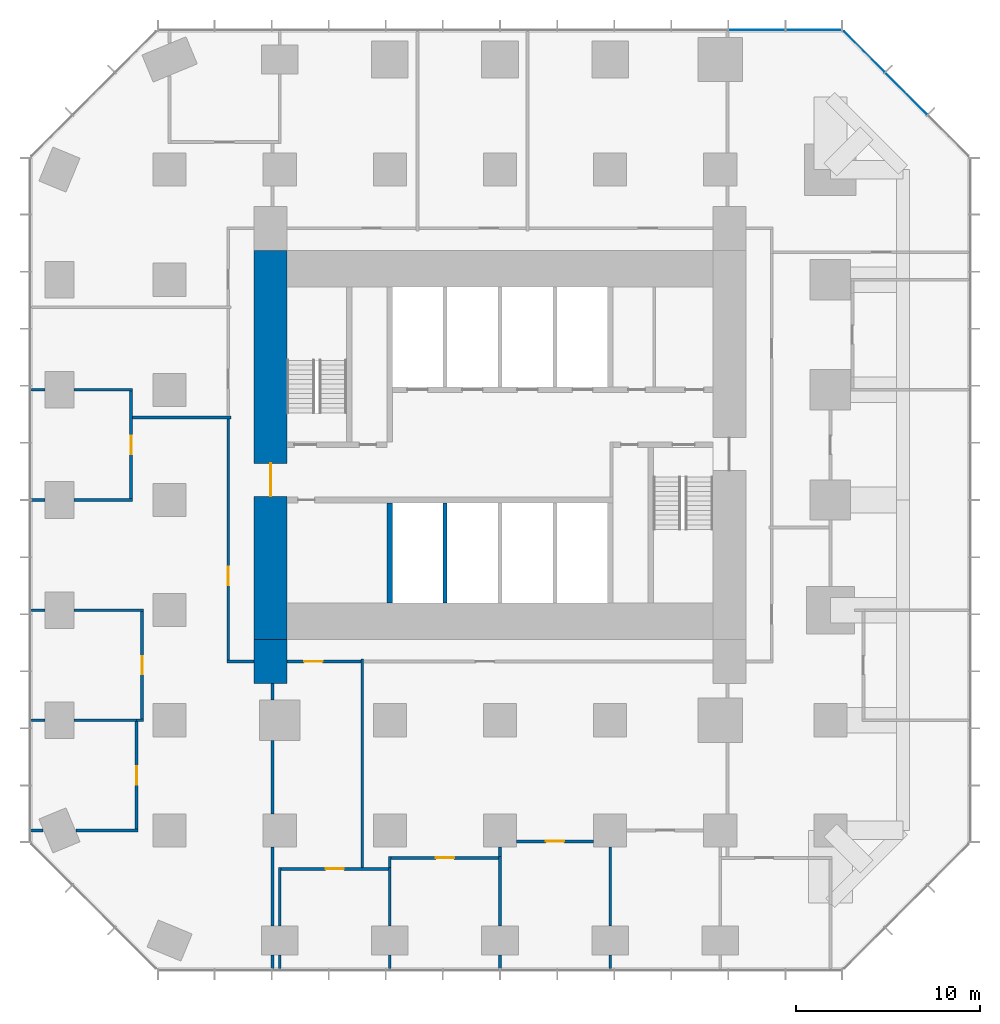
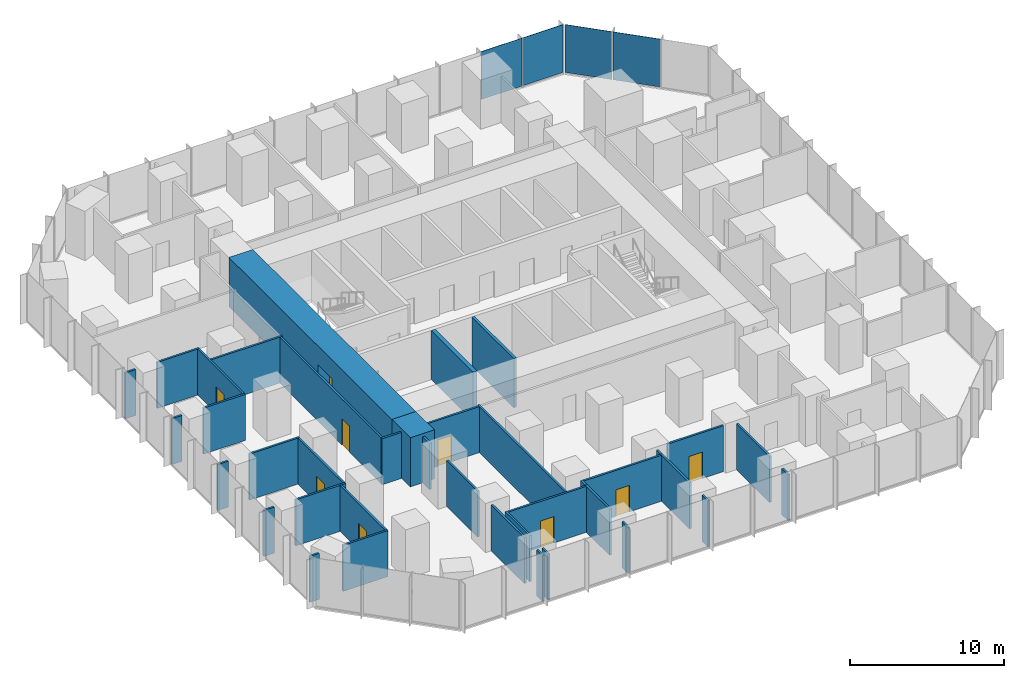
# One storey, part 8 of 12: 40 walls, 9 doors, 4 plates, 9 openings, 2 elements without a shape of their own.
"""IFC4 building model written with IfcOpenShell, lengths in metres."""

from ifc_helpers import new_model, si_unit, direction, frame, frame_2d, origin, origin_2d, place, context, subcontext, project, spatial, rectangle, extrude, material, layer, layer_set, type_object, element, fill, aggregate, save


model = new_model("IFC4")

# Units and contexts
model_context = context("Model", 3, precision=1e-05, world=origin(), true_north=direction((0.0, 1.0)))
body_context = subcontext(model_context, "Body", "Model", "MODEL_VIEW")
ifc_project = project(units=[si_unit("LENGTHUNIT", "METRE"), si_unit("AREAUNIT", "SQUARE_METRE"), si_unit("VOLUMEUNIT", "CUBIC_METRE"), si_unit("PLANEANGLEUNIT", "RADIAN"), si_unit("MASSUNIT", "GRAM", prefix="KILO")], contexts=[model_context])

# Site, building, storey
site_placement = place(None, origin())
site = spatial("IfcSite", under=ifc_project, at=site_placement, CompositionType="ELEMENT")
building_placement = place(site_placement, origin())
building = spatial("IfcBuilding", under=site, at=building_placement, Name="Highveld Stack Headquarters", CompositionType="ELEMENT")
storey_placement = place(building_placement, frame((0.0, 0.0, 49.39990234375)))
storey = spatial("IfcBuildingStorey", under=building, at=storey_placement, Name="L11", CompositionType="ELEMENT", Elevation=49.39990234375)

# Curtain wall, plates
ifc_material_1 = material(Name="Aluminium bronze anodised", Category="aluminium")
ifc_layer_1 = layer(ifc_material_1, 0.199951171875)
ifc_layer_set_1 = layer_set([ifc_layer_1], Name="Aluminium bronze anodised")
curtain_wall_type_1 = type_object("IfcCurtainWallType", Name="CW1 TOWER UNITISED CURTAIN WALL", PredefinedType="NOTDEFINED", material=ifc_layer_set_1)
curtain_wall_1_placement = place(storey_placement, origin())
curtain_wall_1 = element("IfcCurtainWall", 1, at=curtain_wall_1_placement, inside=storey, type_object=curtain_wall_type_1, Name="Curtain wall CW1 L11 N", PredefinedType="NOTDEFINED")
ifc_material_2 = material(Name="Glass bronze tinted double glazed unit", Category="glass")
ifc_layer_2 = layer(ifc_material_2, 0.028076171875)
ifc_layer_set_2 = layer_set([ifc_layer_2], Name="Glass bronze tinted double glazed unit")
plate_type_1 = type_object("IfcPlateType", Name="CW1 PANEL BRONZE TINTED DOUBLE GLAZED UNIT", PredefinedType="CURTAIN_PANEL", material=ifc_layer_set_2)
plate_1_placement = place(storey_placement, frame((23.09130859375, 25.60009765625, 0.10009765625), z_axis=(0.0, 0.0, 1.0), x_axis=(-1.0, 0.0, 0.0)))
plate_1 = element("IfcPlate", 2, at=plate_1_placement, type_object=plate_type_1, Name="CW1 panel L11 1.1", PredefinedType="CURTAIN_PANEL", context=body_context, shape_type="SweptSolid", body=[
    extrude(rectangle(XDim=3.012939453125, YDim=0.028076171875, at=origin_2d()), origin(), (0.0, 0.0, 1.0), 3.800048828125),
])
plate_2_placement = place(storey_placement, frame((19.9970703125, 25.60009765625, 0.10009765625), z_axis=(0.0, 0.0, 1.0), x_axis=(-1.0, 0.0, 0.0)))
plate_2 = element("IfcPlate", 3, at=plate_2_placement, type_object=plate_type_1, Name="CW1 panel L11 2.1", PredefinedType="CURTAIN_PANEL", context=body_context, shape_type="SweptSolid", body=[
    extrude(rectangle(XDim=3.04541015625, YDim=0.028076171875, at=origin_2d()), origin(), (0.0, 0.0, 1.0), 3.800048828125),
])
aggregate(curtain_wall_1, [plate_1, plate_2])

ifc_material_3 = material(Name="Aluminium bronze anodised", Category="aluminium")
ifc_layer_3 = layer(ifc_material_3, 0.199951171875)
ifc_layer_set_3 = layer_set([ifc_layer_3], Name="Aluminium bronze anodised")
curtain_wall_type_2 = type_object("IfcCurtainWallType", Name="CW2 TOWER CHAMFER UNITISED CURTAIN WALL", PredefinedType="NOTDEFINED", material=ifc_layer_set_3)
curtain_wall_2_placement = place(storey_placement, origin())
curtain_wall_2 = element("IfcCurtainWall", 4, at=curtain_wall_2_placement, inside=storey, type_object=curtain_wall_type_2, Name="Curtain wall CW2 L11 NE", PredefinedType="NOTDEFINED")
ifc_material_4 = material(Name="Glass bronze tinted double glazed unit", Category="glass")
ifc_layer_4 = layer(ifc_material_4, 0.028076171875)
ifc_layer_set_4 = layer_set([ifc_layer_4], Name="Glass bronze tinted double glazed unit")
plate_type_2 = type_object("IfcPlateType", Name="CW2 PANEL BRONZE TINTED DOUBLE GLAZED UNIT", PredefinedType="CURTAIN_PANEL", material=ifc_layer_set_4)
plate_3_placement = place(storey_placement, frame((28.13134765625, 22.13134765625, 0.10009765625), z_axis=(0.0, 0.0, 1.0), x_axis=(-0.707106781187, 0.707106781187, 0.0)))
plate_3 = element("IfcPlate", 5, at=plate_3_placement, type_object=plate_type_2, Name="CW2 panel L11 2.1", PredefinedType="CURTAIN_PANEL", context=body_context, shape_type="SweptSolid", body=[
    extrude(rectangle(XDim=3.205322265625, YDim=0.028076171875, at=origin_2d()), origin(), (0.0, 0.0, 1.0), 3.800048828125),
])
plate_4_placement = place(storey_placement, frame((25.8427734375, 24.419921875, 0.10009765625), z_axis=(0.0, 0.0, 1.0), x_axis=(-0.707106781187, 0.707106781187, 0.0)))
plate_4 = element("IfcPlate", 6, at=plate_4_placement, type_object=plate_type_2, Name="CW2 panel L11 3.1", PredefinedType="CURTAIN_PANEL", context=body_context, shape_type="SweptSolid", body=[
    extrude(rectangle(XDim=3.1376953125, YDim=0.028076171875, at=origin_2d()), origin(), (0.0, 0.0, 1.0), 3.800048828125),
])
aggregate(curtain_wall_2, [plate_3, plate_4])

# Wall, opening, door
ifc_material_5 = material(Name="Concrete C60/75", Category="concrete")
ifc_layer_5 = layer(ifc_material_5, 1.800048828125)
ifc_layer_set_5 = layer_set([ifc_layer_5], Name="Concrete C60/75")
wall_type_1 = type_object("IfcWallType", Name="CORE WALL 1800 C60/75", PredefinedType="SHEAR", material=ifc_layer_set_5)
wall_1_placement = place(storey_placement, frame((-6.5, -7.60009765625, 0.0), z_axis=(0.0, 0.0, 1.0), x_axis=(0.0, 1.0, 0.0)))
wall_1 = element("IfcWall", 7, at=wall_1_placement, inside=storey, type_object=wall_type_1, Name="Core wall W L11", PredefinedType="SHEAR", context=body_context, shape_type="SweptSolid", body=[
    extrude(rectangle(XDim=21.2001953125, YDim=1.800048828125, at=frame_2d((10.60009765625, 0.0))), origin(), (0.0, 0.0, 1.0), 3.900146484375),
])
opening_1_placement = place(wall_1_placement, frame((7.800048828125, 0.0, 0.0)))
opening_1 = element("IfcOpeningElement", 8, at=opening_1_placement, cuts=wall_1, Name="Opening L11-01", PredefinedType="OPENING", context=body_context, shape_type="SweptSolid", body=[
    extrude(rectangle(XDim=1.800048828125, YDim=2.39990234375, at=frame_2d((0.89990234375, 1.199951171875))), frame((0.0, 0.909912109375, 0.0), z_axis=(0.0, -1.0, 0.0), x_axis=(1.0, 0.0, 0.0)), (0.0, 0.0, 1.0), 1.820068359375),
])
ifc_material_6 = material(Name="Steel fire door", Category="steel")
door_type_1 = type_object("IfcDoorType", Name="LOBBY FIRE DOOR D4 1800x2400", OperationType="DOUBLE_DOOR_SINGLE_SWING", PredefinedType="DOOR", material=ifc_material_6)
door_1_placement = place(opening_1_placement, origin())
door_1 = element("IfcDoor", 9, at=door_1_placement, inside=storey, type_object=door_type_1, Name="Core west door L11", OperationType="DOUBLE_DOOR_SINGLE_SWING", OverallHeight=2.39990234375, OverallWidth=1.800048828125, PredefinedType="DOOR", context=body_context, shape_type="SweptSolid", body=[
    extrude(rectangle(XDim=1.800048828125, YDim=2.39990234375, at=frame_2d((0.89990234375, 1.199951171875))), frame((0.0, 0.02490234375, 0.0), z_axis=(0.0, -1.0, 0.0), x_axis=(1.0, 0.0, 0.0)), (0.0, 0.0, 1.0), 0.050048828125),
])
fill(opening_1, door_1)

# Walls
ifc_material_7 = material(Name="Concrete C60/75", Category="concrete")
ifc_layer_6 = layer(ifc_material_7, 0.300048828125)
ifc_layer_set_6 = layer_set([ifc_layer_6], Name="Concrete C60/75")
wall_type_2 = type_object("IfcWallType", Name="CORE WALL 300 C60/75", PredefinedType="SHEAR", material=ifc_layer_set_6)
wall_2_placement = place(storey_placement, frame((0.0, -5.60009765625, 0.0), z_axis=(0.0, 0.0, 1.0), x_axis=(0.0, 1.0, 0.0)))
element("IfcWall", 10, at=wall_2_placement, inside=storey, type_object=wall_type_2, Name="Core wall I-X0S L11", PredefinedType="SHEAR", context=body_context, shape_type="SweptSolid", body=[
    extrude(rectangle(XDim=5.4501953125, YDim=0.300048828125, at=frame_2d((2.72509765625, 0.0))), origin(), (0.0, 0.0, 1.0), 3.900146484375),
])
ifc_material_8 = material(Name="Concrete C60/75", Category="concrete")
ifc_layer_7 = layer(ifc_material_8, 1.800048828125)
ifc_layer_set_7 = layer_set([ifc_layer_7], Name="Concrete C60/75")
wall_type_3 = type_object("IfcWallType", Name="CORE WING WALL 1800 C60/75", PredefinedType="SHEAR", material=ifc_layer_set_7)
wall_3_placement = place(storey_placement, frame((-6.5, -10.0, 0.0), z_axis=(0.0, 0.0, 1.0), x_axis=(0.0, 1.0, 0.0)))
element("IfcWall", 11, at=wall_3_placement, inside=storey, type_object=wall_type_3, Name="Core wing wall WS L11", PredefinedType="SHEAR", context=body_context, shape_type="SweptSolid", body=[
    extrude(rectangle(XDim=2.39990234375, YDim=1.800048828125, at=frame_2d((1.199951171875, 0.0))), origin(), (0.0, 0.0, 1.0), 3.900146484375),
])

# Wall, opening, door
ifc_material_9 = material(Name="Laminated glass in aluminium frame", Category="aluminium")
ifc_layer_8 = layer(ifc_material_9, 0.14990234375)
ifc_layer_set_8 = layer_set([ifc_layer_8], Name="Laminated glass in aluminium frame")
wall_type_4 = type_object("IfcWallType", Name="GLAZED PARTITION 150", PredefinedType="PARTITIONING", material=ifc_layer_set_8)
wall_4_placement = place(storey_placement, frame((6.89990234375, -18.60009765625, 0.0), z_axis=(0.0, 0.0, 1.0), x_axis=(1.0, 0.0, 0.0)))
wall_4 = element("IfcWall", 12, at=wall_4_placement, inside=storey, type_object=wall_type_4, Name="Glazed partition Video conference room L11", PredefinedType="PARTITIONING", context=body_context, shape_type="SweptSolid", body=[
    extrude(rectangle(XDim=4.2001953125, YDim=0.14990234375, at=frame_2d((2.10009765625, 0.0))), origin(), (0.0, 0.0, 1.0), 3.650146484375),
])
opening_2_placement = place(wall_4_placement, frame((1.60009765625, 0.0, 0.0)))
opening_2 = element("IfcOpeningElement", 13, at=opening_2_placement, cuts=wall_4, Name="Opening L11-12", PredefinedType="OPENING", context=body_context, shape_type="SweptSolid", body=[
    extrude(rectangle(XDim=1.0, YDim=2.10009765625, at=frame_2d((0.5, 1.050048828125))), frame((0.0, 0.0849609375, 0.0), z_axis=(0.0, -1.0, 0.0), x_axis=(1.0, 0.0, 0.0)), (0.0, 0.0, 1.0), 0.169921875),
])
ifc_material_10 = material(Name="Timber door, oiled ash", Category="wood")
door_type_2 = type_object("IfcDoorType", Name="ROOM DOOR D6 1000x2100", OperationType="SINGLE_SWING_LEFT", PredefinedType="DOOR", material=ifc_material_10)
door_2_placement = place(opening_2_placement, origin())
door_2 = element("IfcDoor", 14, at=door_2_placement, inside=storey, type_object=door_type_2, Name="Video conference room door 1 L11", OperationType="SINGLE_SWING_LEFT", OverallHeight=2.10009765625, OverallWidth=1.0, PredefinedType="DOOR", context=body_context, shape_type="SweptSolid", body=[
    extrude(rectangle(XDim=1.0, YDim=2.10009765625, at=frame_2d((0.5, 1.050048828125))), frame((0.0, 0.02490234375, 0.0), z_axis=(0.0, -1.0, 0.0), x_axis=(1.0, 0.0, 0.0)), (0.0, 0.0, 1.0), 0.050048828125),
])
fill(opening_2, door_2)

# Wall
ifc_material_11 = material(Name="Concrete blockwork, fair-faced", Category="masonry")
ifc_layer_9 = layer(ifc_material_11, 0.199951171875)
ifc_layer_set_9 = layer_set([ifc_layer_9], Name="Concrete blockwork, fair-faced")
wall_type_5 = type_object("IfcWallType", Name="LIFT SHAFT ENCLOSURE WALL 200 BLOCKWORK", PredefinedType="SOLIDWALL", material=ifc_layer_set_9)
wall_5_placement = place(storey_placement, frame((3.0, -5.60009765625, 0.0), z_axis=(0.0, 0.0, 1.0), x_axis=(0.0, 1.0, 0.0)))
element("IfcWall", 15, at=wall_5_placement, inside=storey, type_object=wall_type_5, Name="Lift shaft wall L11", PredefinedType="SOLIDWALL", context=body_context, shape_type="SweptSolid", body=[
    extrude(rectangle(XDim=5.4501953125, YDim=0.199951171875, at=frame_2d((2.72509765625, 0.0))), origin(), (0.0, 0.0, 1.0), 3.900146484375),
])

# Wall, opening, door
ifc_material_12 = material(Name="Gypsum plasterboard on steel studs", Category="steel")
ifc_layer_10 = layer(ifc_material_12, 0.14990234375)
ifc_layer_set_10 = layer_set([ifc_layer_10], Name="Gypsum plasterboard on steel studs")
wall_type_6 = type_object("IfcWallType", Name="PARTITION 150 PLASTERBOARD", PredefinedType="PARTITIONING", material=ifc_layer_set_10)
wall_6_placement = place(storey_placement, frame((-5.925048828125, -20.10009765625, 0.0), z_axis=(0.0, 0.0, 1.0), x_axis=(1.0, 0.0, 0.0)))
wall_6 = element("IfcWall", 16, at=wall_6_placement, inside=storey, type_object=wall_type_6, Name="Partition Focus room L11", PredefinedType="PARTITIONING", context=body_context, shape_type="SweptSolid", body=[
    extrude(rectangle(XDim=5.85009765625, YDim=0.14990234375, at=frame_2d((2.925048828125, 0.0))), origin(), (0.0, 0.0, 1.0), 3.650146484375),
])
opening_3_placement = place(wall_6_placement, frame((2.425048828125, 0.0, 0.0)))
opening_3 = element("IfcOpeningElement", 17, at=opening_3_placement, cuts=wall_6, Name="Opening L11-10", PredefinedType="OPENING", context=body_context, shape_type="SweptSolid", body=[
    extrude(rectangle(XDim=1.0, YDim=2.10009765625, at=frame_2d((0.5, 1.050048828125))), frame((0.0, 0.0849609375, 0.0), z_axis=(0.0, -1.0, 0.0), x_axis=(1.0, 0.0, 0.0)), (0.0, 0.0, 1.0), 0.169921875),
])
door_3_placement = place(opening_3_placement, origin())
door_3 = element("IfcDoor", 18, at=door_3_placement, inside=storey, type_object=door_type_2, Name="Focus room door 1 L11", OperationType="SINGLE_SWING_RIGHT", OverallHeight=2.10009765625, OverallWidth=1.0, PredefinedType="DOOR", context=body_context, shape_type="SweptSolid", body=[
    extrude(rectangle(XDim=1.0, YDim=2.10009765625, at=frame_2d((0.5, 1.050048828125))), frame((0.0, 0.02490234375, 0.0), z_axis=(0.0, -1.0, 0.0), x_axis=(1.0, 0.0, 0.0)), (0.0, 0.0, 1.0), 0.050048828125),
])
fill(opening_3, door_3)

wall_7_placement = place(storey_placement, frame((0.074951171875, -19.5, 0.0), z_axis=(0.0, 0.0, 1.0), x_axis=(1.0, 0.0, 0.0)))
wall_7 = element("IfcWall", 19, at=wall_7_placement, inside=storey, type_object=wall_type_6, Name="Partition Quiet room L11", PredefinedType="PARTITIONING", context=body_context, shape_type="SweptSolid", body=[
    extrude(rectangle(XDim=5.85009765625, YDim=0.14990234375, at=frame_2d((2.925048828125, 0.0))), origin(), (0.0, 0.0, 1.0), 3.650146484375),
])
opening_4_placement = place(wall_7_placement, frame((2.425048828125, 0.0, 0.0)))
opening_4 = element("IfcOpeningElement", 20, at=opening_4_placement, cuts=wall_7, Name="Opening L11-11", PredefinedType="OPENING", context=body_context, shape_type="SweptSolid", body=[
    extrude(rectangle(XDim=1.0, YDim=2.10009765625, at=frame_2d((0.5, 1.050048828125))), frame((0.0, 0.0849609375, 0.0), z_axis=(0.0, -1.0, 0.0), x_axis=(1.0, 0.0, 0.0)), (0.0, 0.0, 1.0), 0.169921875),
])
door_4_placement = place(opening_4_placement, origin())
door_4 = element("IfcDoor", 21, at=door_4_placement, inside=storey, type_object=door_type_2, Name="Quiet room door 1 L11", OperationType="SINGLE_SWING_RIGHT", OverallHeight=2.10009765625, OverallWidth=1.0, PredefinedType="DOOR", context=body_context, shape_type="SweptSolid", body=[
    extrude(rectangle(XDim=1.0, YDim=2.10009765625, at=frame_2d((0.5, 1.050048828125))), frame((0.0, 0.02490234375, 0.0), z_axis=(0.0, -1.0, 0.0), x_axis=(1.0, 0.0, 0.0)), (0.0, 0.0, 1.0), 0.050048828125),
])
fill(opening_4, door_4)

# Walls
wall_8_placement = place(storey_placement, frame((-19.60009765625, -18.0, 0.0), z_axis=(0.0, 0.0, 1.0), x_axis=(1.0, 0.0, 0.0)))
element("IfcWall", 22, at=wall_8_placement, inside=storey, type_object=wall_type_6, Name="Partition Print room L11", PredefinedType="PARTITIONING", context=body_context, shape_type="SweptSolid", body=[
    extrude(rectangle(XDim=0.703125, YDim=0.14990234375, at=frame_2d((0.3515625, 0.0))), origin(), (0.0, 0.0, 1.0), 3.650146484375),
])
wall_9_placement = place(storey_placement, frame((-17.10302734375, -18.0, 0.0), z_axis=(0.0, 0.0, 1.0), x_axis=(1.0, 0.0, 0.0)))
element("IfcWall", 23, at=wall_9_placement, inside=storey, type_object=wall_type_6, Name="Partition Print room L11", PredefinedType="PARTITIONING", context=body_context, shape_type="SweptSolid", body=[
    extrude(rectangle(XDim=3.3779296875, YDim=0.14990234375, at=frame_2d((1.68896484375, 0.0))), origin(), (0.0, 0.0, 1.0), 3.650146484375),
])
wall_10_placement = place(storey_placement, frame((-19.60009765625, -12.0, 0.0), z_axis=(0.0, 0.0, 1.0), x_axis=(1.0, 0.0, 0.0)))
element("IfcWall", 24, at=wall_10_placement, inside=storey, type_object=wall_type_6, Name="Partition Print room / Quiet room L11", PredefinedType="PARTITIONING", context=body_context, shape_type="SweptSolid", body=[
    extrude(rectangle(XDim=0.800048828125, YDim=0.14990234375, at=frame_2d((0.39990234375, 0.0))), origin(), (0.0, 0.0, 1.0), 3.650146484375),
])
wall_11_placement = place(storey_placement, frame((-17.199951171875, -12.0, 0.0), z_axis=(0.0, 0.0, 1.0), x_axis=(1.0, 0.0, 0.0)))
element("IfcWall", 25, at=wall_11_placement, inside=storey, type_object=wall_type_6, Name="Partition Print room / Quiet room L11", PredefinedType="PARTITIONING", context=body_context, shape_type="SweptSolid", body=[
    extrude(rectangle(XDim=3.474853515625, YDim=0.14990234375, at=frame_2d((1.7373046875, 0.0))), origin(), (0.0, 0.0, 1.0), 3.650146484375),
])
wall_12_placement = place(storey_placement, frame((-13.800048828125, -12.0, 0.0), z_axis=(0.0, 0.0, 1.0), x_axis=(1.0, 0.0, 0.0)))
element("IfcWall", 26, at=wall_12_placement, inside=storey, type_object=wall_type_6, Name="Partition Quiet room L11", PredefinedType="PARTITIONING", context=body_context, shape_type="SweptSolid", body=[
    extrude(rectangle(XDim=0.375, YDim=0.14990234375, at=frame_2d((0.1875, 0.0))), origin(), (0.0, 0.0, 1.0), 3.650146484375),
])
wall_13_placement = place(storey_placement, frame((-19.60009765625, -6.0, 0.0), z_axis=(0.0, 0.0, 1.0), x_axis=(1.0, 0.0, 0.0)))
element("IfcWall", 27, at=wall_13_placement, inside=storey, type_object=wall_type_6, Name="Partition Quiet room L11", PredefinedType="PARTITIONING", context=body_context, shape_type="SweptSolid", body=[
    extrude(rectangle(XDim=0.800048828125, YDim=0.14990234375, at=frame_2d((0.39990234375, 0.0))), origin(), (0.0, 0.0, 1.0), 3.650146484375),
])
wall_14_placement = place(storey_placement, frame((-17.199951171875, -6.0, 0.0), z_axis=(0.0, 0.0, 1.0), x_axis=(1.0, 0.0, 0.0)))
element("IfcWall", 28, at=wall_14_placement, inside=storey, type_object=wall_type_6, Name="Partition Quiet room L11", PredefinedType="PARTITIONING", context=body_context, shape_type="SweptSolid", body=[
    extrude(rectangle(XDim=3.77490234375, YDim=0.14990234375, at=frame_2d((1.887451171875, 0.0))), origin(), (0.0, 0.0, 1.0), 3.650146484375),
])
wall_15_placement = place(storey_placement, frame((-19.550048828125, 0.0, 0.0), z_axis=(0.0, 0.0, 1.0), x_axis=(1.0, 0.0, 0.0)))
element("IfcWall", 29, at=wall_15_placement, inside=storey, type_object=wall_type_6, Name="Partition Focus room L11", PredefinedType="PARTITIONING", context=body_context, shape_type="SweptSolid", body=[
    extrude(rectangle(XDim=0.75, YDim=0.14990234375, at=frame_2d((0.375, 0.0))), origin(), (0.0, 0.0, 1.0), 3.650146484375),
])
wall_16_placement = place(storey_placement, frame((-17.199951171875, 0.0, 0.0), z_axis=(0.0, 0.0, 1.0), x_axis=(1.0, 0.0, 0.0)))
element("IfcWall", 30, at=wall_16_placement, inside=storey, type_object=wall_type_6, Name="Partition Focus room L11", PredefinedType="PARTITIONING", context=body_context, shape_type="SweptSolid", body=[
    extrude(rectangle(XDim=3.175048828125, YDim=0.14990234375, at=frame_2d((1.58740234375, 0.0))), origin(), (0.0, 0.0, 1.0), 3.650146484375),
])
wall_17_placement = place(storey_placement, frame((-19.60009765625, 6.0, 0.0), z_axis=(0.0, 0.0, 1.0), x_axis=(1.0, 0.0, 0.0)))
element("IfcWall", 31, at=wall_17_placement, inside=storey, type_object=wall_type_6, Name="Partition Focus room L11", PredefinedType="PARTITIONING", context=body_context, shape_type="SweptSolid", body=[
    extrude(rectangle(XDim=0.800048828125, YDim=0.14990234375, at=frame_2d((0.39990234375, 0.0))), origin(), (0.0, 0.0, 1.0), 3.650146484375),
])
wall_18_placement = place(storey_placement, frame((-17.199951171875, 6.0, 0.0), z_axis=(0.0, 0.0, 1.0), x_axis=(1.0, 0.0, 0.0)))
element("IfcWall", 32, at=wall_18_placement, inside=storey, type_object=wall_type_6, Name="Partition Focus room L11", PredefinedType="PARTITIONING", context=body_context, shape_type="SweptSolid", body=[
    extrude(rectangle(XDim=3.175048828125, YDim=0.14990234375, at=frame_2d((1.58740234375, 0.0))), origin(), (0.0, 0.0, 1.0), 3.650146484375),
])

# Wall, opening, door
wall_19_placement = place(storey_placement, frame((-14.10009765625, 0.074951171875, 0.0), z_axis=(0.0, 0.0, 1.0), x_axis=(0.0, 1.0, 0.0)))
wall_19 = element("IfcWall", 33, at=wall_19_placement, inside=storey, type_object=wall_type_6, Name="Partition Focus room L11", PredefinedType="PARTITIONING", context=body_context, shape_type="SweptSolid", body=[
    extrude(rectangle(XDim=5.85009765625, YDim=0.14990234375, at=frame_2d((2.925048828125, 0.0))), origin(), (0.0, 0.0, 1.0), 3.650146484375),
])
opening_5_placement = place(wall_19_placement, frame((2.425048828125, 0.0, 0.0)))
opening_5 = element("IfcOpeningElement", 34, at=opening_5_placement, cuts=wall_19, Name="Opening L11-17", PredefinedType="OPENING", context=body_context, shape_type="SweptSolid", body=[
    extrude(rectangle(XDim=1.0, YDim=2.10009765625, at=frame_2d((0.5, 1.050048828125))), frame((0.0, 0.0849609375, 0.0), z_axis=(0.0, -1.0, 0.0), x_axis=(1.0, 0.0, 0.0)), (0.0, 0.0, 1.0), 0.169921875),
])
door_5_placement = place(opening_5_placement, origin())
door_5 = element("IfcDoor", 35, at=door_5_placement, inside=storey, type_object=door_type_2, Name="Focus room door 1 L11", OperationType="SINGLE_SWING_RIGHT", OverallHeight=2.10009765625, OverallWidth=1.0, PredefinedType="DOOR", context=body_context, shape_type="SweptSolid", body=[
    extrude(rectangle(XDim=1.0, YDim=2.10009765625, at=frame_2d((0.5, 1.050048828125))), frame((0.0, 0.02490234375, 0.0), z_axis=(0.0, -1.0, 0.0), x_axis=(1.0, 0.0, 0.0)), (0.0, 0.0, 1.0), 0.050048828125),
])
fill(opening_5, door_5)

wall_20_placement = place(storey_placement, frame((-13.800048828125, -17.925048828125, 0.0), z_axis=(0.0, 0.0, 1.0), x_axis=(0.0, 1.0, 0.0)))
wall_20 = element("IfcWall", 36, at=wall_20_placement, inside=storey, type_object=wall_type_6, Name="Partition Print room L11", PredefinedType="PARTITIONING", context=body_context, shape_type="SweptSolid", body=[
    extrude(rectangle(XDim=5.85009765625, YDim=0.14990234375, at=frame_2d((2.925048828125, 0.0))), origin(), (0.0, 0.0, 1.0), 3.650146484375),
])
opening_6_placement = place(wall_20_placement, frame((2.425048828125, 0.0, 0.0)))
opening_6 = element("IfcOpeningElement", 37, at=opening_6_placement, cuts=wall_20, Name="Opening L11-15", PredefinedType="OPENING", context=body_context, shape_type="SweptSolid", body=[
    extrude(rectangle(XDim=1.0, YDim=2.10009765625, at=frame_2d((0.5, 1.050048828125))), frame((0.0, 0.0849609375, 0.0), z_axis=(0.0, -1.0, 0.0), x_axis=(1.0, 0.0, 0.0)), (0.0, 0.0, 1.0), 0.169921875),
])
door_6_placement = place(opening_6_placement, origin())
door_6 = element("IfcDoor", 38, at=door_6_placement, inside=storey, type_object=door_type_2, Name="Print room door 1 L11", OperationType="SINGLE_SWING_RIGHT", OverallHeight=2.10009765625, OverallWidth=1.0, PredefinedType="DOOR", context=body_context, shape_type="SweptSolid", body=[
    extrude(rectangle(XDim=1.0, YDim=2.10009765625, at=frame_2d((0.5, 1.050048828125))), frame((0.0, 0.02490234375, 0.0), z_axis=(0.0, -1.0, 0.0), x_axis=(1.0, 0.0, 0.0)), (0.0, 0.0, 1.0), 0.050048828125),
])
fill(opening_6, door_6)

wall_21_placement = place(storey_placement, frame((-13.5, -11.925048828125, 0.0), z_axis=(0.0, 0.0, 1.0), x_axis=(0.0, 1.0, 0.0)))
wall_21 = element("IfcWall", 39, at=wall_21_placement, inside=storey, type_object=wall_type_6, Name="Partition Quiet room L11", PredefinedType="PARTITIONING", context=body_context, shape_type="SweptSolid", body=[
    extrude(rectangle(XDim=5.85009765625, YDim=0.14990234375, at=frame_2d((2.925048828125, 0.0))), origin(), (0.0, 0.0, 1.0), 3.650146484375),
])
opening_7_placement = place(wall_21_placement, frame((2.425048828125, 0.0, 0.0)))
opening_7 = element("IfcOpeningElement", 40, at=opening_7_placement, cuts=wall_21, Name="Opening L11-16", PredefinedType="OPENING", context=body_context, shape_type="SweptSolid", body=[
    extrude(rectangle(XDim=1.0, YDim=2.10009765625, at=frame_2d((0.5, 1.050048828125))), frame((0.0, 0.0849609375, 0.0), z_axis=(0.0, -1.0, 0.0), x_axis=(1.0, 0.0, 0.0)), (0.0, 0.0, 1.0), 0.169921875),
])
door_7_placement = place(opening_7_placement, origin())
door_7 = element("IfcDoor", 41, at=door_7_placement, inside=storey, type_object=door_type_2, Name="Quiet room door 1 L11", OperationType="SINGLE_SWING_LEFT", OverallHeight=2.10009765625, OverallWidth=1.0, PredefinedType="DOOR", context=body_context, shape_type="SweptSolid", body=[
    extrude(rectangle(XDim=1.0, YDim=2.10009765625, at=frame_2d((0.5, 1.050048828125))), frame((0.0, 0.02490234375, 0.0), z_axis=(0.0, -1.0, 0.0), x_axis=(1.0, 0.0, 0.0)), (0.0, 0.0, 1.0), 0.050048828125),
])
fill(opening_7, door_7)

# Walls
wall_22_placement = place(storey_placement, frame((-6.0, -25.60009765625, 0.0), z_axis=(0.0, 0.0, 1.0), x_axis=(0.0, 1.0, 0.0)))
element("IfcWall", 42, at=wall_22_placement, inside=storey, type_object=wall_type_6, Name="Partition Focus room L11", PredefinedType="PARTITIONING", context=body_context, shape_type="SweptSolid", body=[
    extrude(rectangle(XDim=0.800048828125, YDim=0.14990234375, at=frame_2d((0.39990234375, 0.0))), origin(), (0.0, 0.0, 1.0), 3.650146484375),
])
wall_23_placement = place(storey_placement, frame((-6.0, -23.199951171875, 0.0), z_axis=(0.0, 0.0, 1.0), x_axis=(0.0, 1.0, 0.0)))
element("IfcWall", 43, at=wall_23_placement, inside=storey, type_object=wall_type_6, Name="Partition Focus room L11", PredefinedType="PARTITIONING", context=body_context, shape_type="SweptSolid", body=[
    extrude(rectangle(XDim=3.175048828125, YDim=0.14990234375, at=frame_2d((1.58740234375, 0.0))), origin(), (0.0, 0.0, 1.0), 3.650146484375),
])
wall_24_placement = place(storey_placement, frame((0.0, -25.60009765625, 0.0), z_axis=(0.0, 0.0, 1.0), x_axis=(0.0, 1.0, 0.0)))
element("IfcWall", 44, at=wall_24_placement, inside=storey, type_object=wall_type_6, Name="Partition Focus room / Quiet room L11", PredefinedType="PARTITIONING", context=body_context, shape_type="SweptSolid", body=[
    extrude(rectangle(XDim=0.800048828125, YDim=0.14990234375, at=frame_2d((0.39990234375, 0.0))), origin(), (0.0, 0.0, 1.0), 3.650146484375),
])
wall_25_placement = place(storey_placement, frame((0.0, -23.199951171875, 0.0), z_axis=(0.0, 0.0, 1.0), x_axis=(0.0, 1.0, 0.0)))
element("IfcWall", 45, at=wall_25_placement, inside=storey, type_object=wall_type_6, Name="Partition Focus room / Quiet room L11", PredefinedType="PARTITIONING", context=body_context, shape_type="SweptSolid", body=[
    extrude(rectangle(XDim=3.175048828125, YDim=0.14990234375, at=frame_2d((1.58740234375, 0.0))), origin(), (0.0, 0.0, 1.0), 3.650146484375),
])
wall_26_placement = place(storey_placement, frame((0.0, -20.02490234375, 0.0), z_axis=(0.0, 0.0, 1.0), x_axis=(0.0, 1.0, 0.0)))
element("IfcWall", 46, at=wall_26_placement, inside=storey, type_object=wall_type_6, Name="Partition Quiet room L11", PredefinedType="PARTITIONING", context=body_context, shape_type="SweptSolid", body=[
    extrude(rectangle(XDim=0.599853515625, YDim=0.14990234375, at=frame_2d((0.2998046875, 0.0))), origin(), (0.0, 0.0, 1.0), 3.650146484375),
])
wall_27_placement = place(storey_placement, frame((6.0, -25.550048828125, 0.0), z_axis=(0.0, 0.0, 1.0), x_axis=(0.0, 1.0, 0.0)))
element("IfcWall", 47, at=wall_27_placement, inside=storey, type_object=wall_type_6, Name="Partition Quiet room / Video conference room L11", PredefinedType="PARTITIONING", context=body_context, shape_type="SweptSolid", body=[
    extrude(rectangle(XDim=0.75, YDim=0.14990234375, at=frame_2d((0.375, 0.0))), origin(), (0.0, 0.0, 1.0), 3.650146484375),
])
wall_28_placement = place(storey_placement, frame((6.0, -23.199951171875, 0.0), z_axis=(0.0, 0.0, 1.0), x_axis=(0.0, 1.0, 0.0)))
element("IfcWall", 48, at=wall_28_placement, inside=storey, type_object=wall_type_6, Name="Partition Quiet room / Video conference room L11", PredefinedType="PARTITIONING", context=body_context, shape_type="SweptSolid", body=[
    extrude(rectangle(XDim=3.77490234375, YDim=0.14990234375, at=frame_2d((1.887451171875, 0.0))), origin(), (0.0, 0.0, 1.0), 3.650146484375),
])
wall_29_placement = place(storey_placement, frame((6.0, -19.425048828125, 0.0), z_axis=(0.0, 0.0, 1.0), x_axis=(0.0, 1.0, 0.0)))
element("IfcWall", 49, at=wall_29_placement, inside=storey, type_object=wall_type_6, Name="Partition Video conference room L11", PredefinedType="PARTITIONING", context=body_context, shape_type="SweptSolid", body=[
    extrude(rectangle(XDim=0.525146484375, YDim=0.14990234375, at=frame_2d((0.2626953125, 0.0))), origin(), (0.0, 0.0, 1.0), 3.650146484375),
])
wall_30_placement = place(storey_placement, frame((12.0, -25.60009765625, 0.0), z_axis=(0.0, 0.0, 1.0), x_axis=(0.0, 1.0, 0.0)))
element("IfcWall", 50, at=wall_30_placement, inside=storey, type_object=wall_type_6, Name="Partition Meeting room / Video conference room L11", PredefinedType="PARTITIONING", context=body_context, shape_type="SweptSolid", body=[
    extrude(rectangle(XDim=0.800048828125, YDim=0.14990234375, at=frame_2d((0.39990234375, 0.0))), origin(), (0.0, 0.0, 1.0), 3.650146484375),
])
wall_31_placement = place(storey_placement, frame((12.0, -23.199951171875, 0.0), z_axis=(0.0, 0.0, 1.0), x_axis=(0.0, 1.0, 0.0)))
element("IfcWall", 51, at=wall_31_placement, inside=storey, type_object=wall_type_6, Name="Partition Meeting room / Video conference room L11", PredefinedType="PARTITIONING", context=body_context, shape_type="SweptSolid", body=[
    extrude(rectangle(XDim=4.300048828125, YDim=0.14990234375, at=frame_2d((2.14990234375, 0.0))), origin(), (0.0, 0.0, 1.0), 3.650146484375),
])
wall_32_placement = place(storey_placement, frame((-14.02490234375, 4.5, 0.0), z_axis=(0.0, 0.0, 1.0), x_axis=(1.0, 0.0, 0.0)))
element("IfcWall", 52, at=wall_32_placement, inside=storey, type_object=wall_type_6, Name="Partition office neighbourhood L11", PredefinedType="PARTITIONING", context=body_context, shape_type="SweptSolid", body=[
    extrude(rectangle(XDim=5.375, YDim=0.14990234375, at=frame_2d((2.6875, 0.0))), origin(), (0.0, 0.0, 1.0), 3.650146484375),
])

# Wall, opening, door
wall_33_placement = place(storey_placement, frame((-8.800048828125, -8.72509765625, 0.0), z_axis=(0.0, 0.0, 1.0), x_axis=(0.0, 1.0, 0.0)))
wall_33 = element("IfcWall", 53, at=wall_33_placement, inside=storey, type_object=wall_type_6, Name="Partition office neighbourhood L11", PredefinedType="PARTITIONING", context=body_context, shape_type="SweptSolid", body=[
    extrude(rectangle(XDim=13.150146484375, YDim=0.14990234375, at=frame_2d((6.5751953125, 0.0))), origin(), (0.0, 0.0, 1.0), 3.650146484375),
])
opening_8_placement = place(wall_33_placement, frame((4.080078125, 0.0, 0.0)))
opening_8 = element("IfcOpeningElement", 54, at=opening_8_placement, cuts=wall_33, Name="Opening L11-25", PredefinedType="OPENING", context=body_context, shape_type="SweptSolid", body=[
    extrude(rectangle(XDim=1.0, YDim=2.10009765625, at=frame_2d((0.5, 1.050048828125))), frame((0.0, 0.0849609375, 0.0), z_axis=(0.0, -1.0, 0.0), x_axis=(1.0, 0.0, 0.0)), (0.0, 0.0, 1.0), 0.169921875),
])
door_8_placement = place(opening_8_placement, origin())
door_8 = element("IfcDoor", 55, at=door_8_placement, inside=storey, type_object=door_type_2, Name="Office neighbourhood door L11", OperationType="SINGLE_SWING_LEFT", OverallHeight=2.10009765625, OverallWidth=1.0, PredefinedType="DOOR", context=body_context, shape_type="SweptSolid", body=[
    extrude(rectangle(XDim=1.0, YDim=2.10009765625, at=frame_2d((0.5, 1.050048828125))), frame((0.0, 0.02490234375, 0.0), z_axis=(0.0, -1.0, 0.0), x_axis=(1.0, 0.0, 0.0)), (0.0, 0.0, 1.0), 0.050048828125),
])
fill(opening_8, door_8)

# Walls
wall_34_placement = place(storey_placement, frame((-8.875, -8.800048828125, 0.0), z_axis=(0.0, 0.0, 1.0), x_axis=(1.0, 0.0, 0.0)))
element("IfcWall", 56, at=wall_34_placement, inside=storey, type_object=wall_type_6, Name="Partition office neighbourhood L11", PredefinedType="PARTITIONING", context=body_context, shape_type="SweptSolid", body=[
    extrude(rectangle(XDim=1.47509765625, YDim=0.14990234375, at=frame_2d((0.737548828125, 0.0))), origin(), (0.0, 0.0, 1.0), 3.650146484375),
])
wall_35_placement = place(storey_placement, frame((-6.39990234375, -25.550048828125, 0.0), z_axis=(0.0, 0.0, 1.0), x_axis=(0.0, 1.0, 0.0)))
element("IfcWall", 57, at=wall_35_placement, inside=storey, type_object=wall_type_6, Name="Partition office neighbourhood L11", PredefinedType="PARTITIONING", context=body_context, shape_type="SweptSolid", body=[
    extrude(rectangle(XDim=0.75, YDim=0.14990234375, at=frame_2d((0.375, 0.0))), origin(), (0.0, 0.0, 1.0), 3.650146484375),
])
wall_36_placement = place(storey_placement, frame((-6.39990234375, -23.199951171875, 0.0), z_axis=(0.0, 0.0, 1.0), x_axis=(0.0, 1.0, 0.0)))
element("IfcWall", 58, at=wall_36_placement, inside=storey, type_object=wall_type_6, Name="Partition office neighbourhood L11", PredefinedType="PARTITIONING", context=body_context, shape_type="SweptSolid", body=[
    extrude(rectangle(XDim=4.300048828125, YDim=0.14990234375, at=frame_2d((2.14990234375, 0.0))), origin(), (0.0, 0.0, 1.0), 3.650146484375),
])
wall_37_placement = place(storey_placement, frame((-6.39990234375, -17.10009765625, 0.0), z_axis=(0.0, 0.0, 1.0), x_axis=(0.0, 1.0, 0.0)))
element("IfcWall", 59, at=wall_37_placement, inside=storey, type_object=wall_type_6, Name="Partition office neighbourhood L11", PredefinedType="PARTITIONING", context=body_context, shape_type="SweptSolid", body=[
    extrude(rectangle(XDim=4.0, YDim=0.14990234375, at=frame_2d((2.0, 0.0))), origin(), (0.0, 0.0, 1.0), 3.650146484375),
])
wall_38_placement = place(storey_placement, frame((-6.39990234375, -10.89990234375, 0.0), z_axis=(0.0, 0.0, 1.0), x_axis=(0.0, 1.0, 0.0)))
element("IfcWall", 60, at=wall_38_placement, inside=storey, type_object=wall_type_6, Name="Partition office neighbourhood L11", PredefinedType="PARTITIONING", context=body_context, shape_type="SweptSolid", body=[
    extrude(rectangle(XDim=0.89990234375, YDim=0.14990234375, at=frame_2d((0.449951171875, 0.0))), origin(), (0.0, 0.0, 1.0), 3.650146484375),
])

# Wall, opening, door
wall_39_placement = place(storey_placement, frame((-5.60009765625, -8.800048828125, 0.0), z_axis=(0.0, 0.0, 1.0), x_axis=(1.0, 0.0, 0.0)))
wall_39 = element("IfcWall", 61, at=wall_39_placement, inside=storey, type_object=wall_type_6, Name="Partition office neighbourhood L11", PredefinedType="PARTITIONING", context=body_context, shape_type="SweptSolid", body=[
    extrude(rectangle(XDim=4.025146484375, YDim=0.14990234375, at=frame_2d((2.0126953125, 0.0))), origin(), (0.0, 0.0, 1.0), 3.650146484375),
])
opening_9_placement = place(wall_39_placement, frame((0.93505859375, 0.0, 0.0)))
opening_9 = element("IfcOpeningElement", 62, at=opening_9_placement, cuts=wall_39, Name="Opening L11-22", PredefinedType="OPENING", context=body_context, shape_type="SweptSolid", body=[
    extrude(rectangle(XDim=1.0, YDim=2.10009765625, at=frame_2d((0.5, 1.050048828125))), frame((0.0, 0.0849609375, 0.0), z_axis=(0.0, -1.0, 0.0), x_axis=(1.0, 0.0, 0.0)), (0.0, 0.0, 1.0), 0.169921875),
])
door_9_placement = place(opening_9_placement, origin())
door_9 = element("IfcDoor", 63, at=door_9_placement, inside=storey, type_object=door_type_2, Name="Office neighbourhood door L11", OperationType="SINGLE_SWING_LEFT", OverallHeight=2.10009765625, OverallWidth=1.0, PredefinedType="DOOR", context=body_context, shape_type="SweptSolid", body=[
    extrude(rectangle(XDim=1.0, YDim=2.10009765625, at=frame_2d((0.5, 1.050048828125))), frame((0.0, 0.02490234375, 0.0), z_axis=(0.0, -1.0, 0.0), x_axis=(1.0, 0.0, 0.0)), (0.0, 0.0, 1.0), 0.050048828125),
])
fill(opening_9, door_9)

# Wall
wall_40_placement = place(storey_placement, frame((-1.5, -20.02490234375, 0.0), z_axis=(0.0, 0.0, 1.0), x_axis=(0.0, 1.0, 0.0)))
element("IfcWall", 64, at=wall_40_placement, inside=storey, type_object=wall_type_6, Name="Partition office neighbourhood L11", PredefinedType="PARTITIONING", context=body_context, shape_type="SweptSolid", body=[
    extrude(rectangle(XDim=11.375, YDim=0.14990234375, at=frame_2d((5.6875, 0.0))), origin(), (0.0, 0.0, 1.0), 3.650146484375),
])

save(model, "model.ifc")
